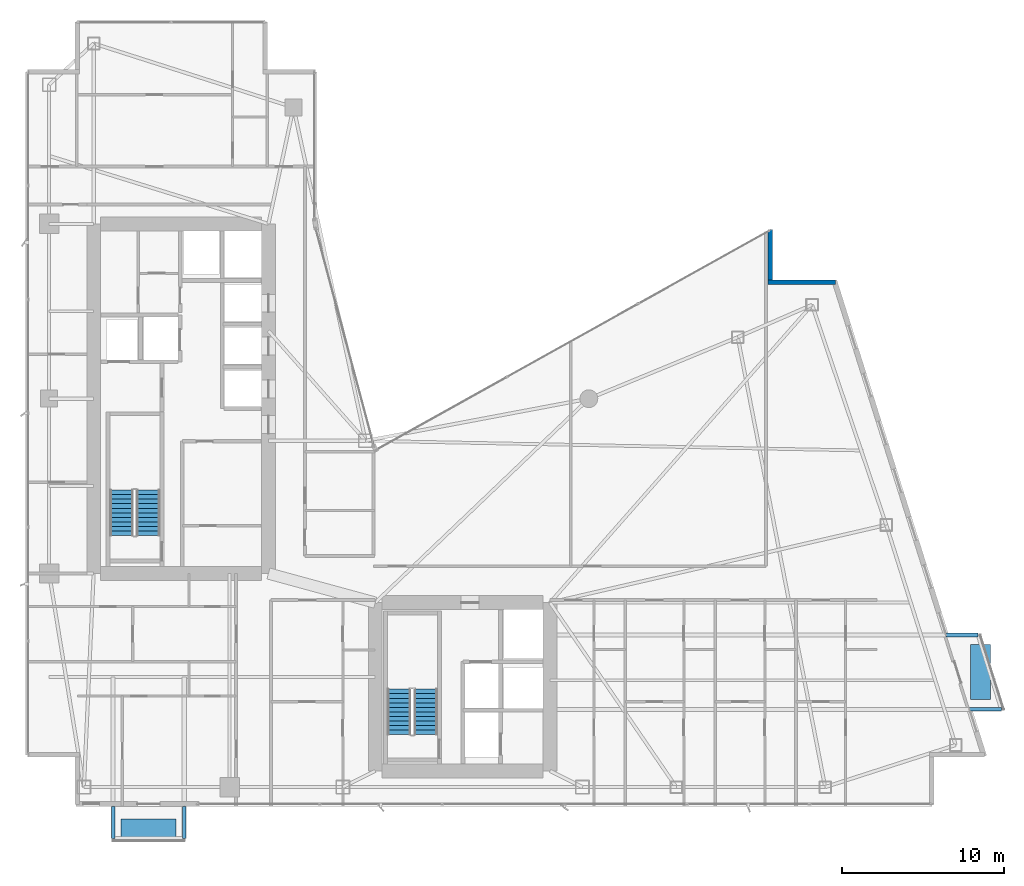
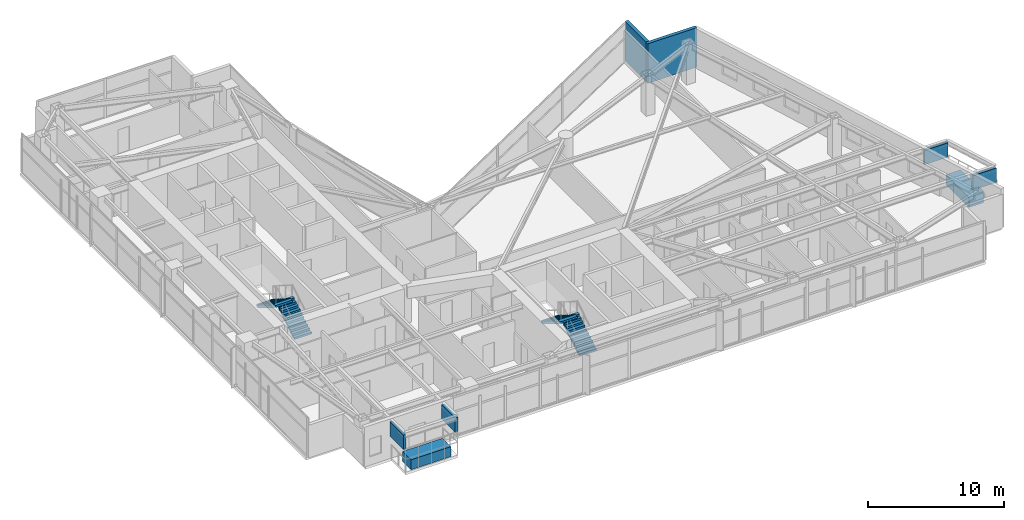
# One storey, part 26 of 29: 6 discrete accessories, 4 stair flights, 2 walls, 2 elements without a shape of their own.
"""IFC4 building model written with IfcOpenShell, lengths in metres."""

from ifc_helpers import new_model, si_unit, direction, frame, frame_2d, origin, origin_2d, place, context, subcontext, project, spatial, polyline, rectangle, outline, extrude, material, layer, layer_set, type_object, element, aggregate, save


model = new_model("IFC4")

# Units and contexts
model_context = context("Model", 3, precision=1e-05, world=origin(), true_north=direction((0.0, 1.0)))
body_context = subcontext(model_context, "Body", "Model", "MODEL_VIEW")
ifc_project = project(units=[si_unit("LENGTHUNIT", "METRE"), si_unit("AREAUNIT", "SQUARE_METRE"), si_unit("VOLUMEUNIT", "CUBIC_METRE"), si_unit("PLANEANGLEUNIT", "RADIAN"), si_unit("MASSUNIT", "GRAM", prefix="KILO")], contexts=[model_context])

# Site, building, storey
site_placement = place(None, origin())
site = spatial("IfcSite", under=ifc_project, at=site_placement, CompositionType="ELEMENT")
building_placement = place(site_placement, origin())
building = spatial("IfcBuilding", under=site, at=building_placement, Name="Calvorn Quay Hotel", CompositionType="ELEMENT")
storey_placement = place(building_placement, frame((0.0, 0.0, 167.5)))
storey = spatial("IfcBuildingStorey", under=building, at=storey_placement, Name="L41", CompositionType="ELEMENT", Elevation=167.5)

# Walls
ifc_material_1 = material(Name="Concrete C40", Category="concrete")
ifc_layer = layer(ifc_material_1, 0.320068359375)
ifc_layer_set = layer_set([ifc_layer], Name="WL-EXT-SPANDREL-320")
wall_type = type_object("IfcWallType", Name="WL-EXT-SPANDREL-320", PredefinedType="SOLIDWALL", material=ifc_layer_set)
wall_1_placement = place(storey_placement, frame((50.0400390625, 34.800048828125, 0.0), z_axis=(0.0, 0.0, 1.0), x_axis=(-1.0, 0.0, 0.0)))
element("IfcWall", 1, at=wall_1_placement, inside=storey, type_object=wall_type, Name="Notched Corner Spandrel L41-NE1", PredefinedType="SOLIDWALL", context=body_context, shape_type="SweptSolid", body=[
    extrude(rectangle(XDim=4.179931640625, YDim=0.280029296875, at=frame_2d((2.08984375, 0.0))), origin(), (0.0, 0.0, 1.0), 3.56005859375),
])
wall_2_placement = place(storey_placement, frame((46.0, 34.93994140625, 0.0), z_axis=(0.0, 0.0, 1.0), x_axis=(0.0, 1.0, 0.0)))
element("IfcWall", 2, at=wall_2_placement, inside=storey, type_object=wall_type, Name="Notched Corner Spandrel L41-NE2", PredefinedType="SOLIDWALL", context=body_context, shape_type="SweptSolid", body=[
    extrude(rectangle(XDim=3.10009765625, YDim=0.280029296875, at=frame_2d((1.550048828125, 0.0))), origin(), (0.0, 0.0, 1.0), 3.56005859375),
])

# Stair, stair flights
ifc_material_2 = material(Name="Concrete C40", Category="concrete")
stair_type = type_object("IfcStairType", Name="STR-CORE-DOGLEG", PredefinedType="HALF_TURN_STAIR", material=ifc_material_2)
stair_1_placement = place(storey_placement, origin())
stair_1 = element("IfcStair", 3, at=stair_1_placement, inside=storey, type_object=stair_type, Name="L41 ST-W", PredefinedType="HALF_TURN_STAIR")
ifc_material_3 = material(Name="Concrete C40", Category="concrete")
stair_flight_type = type_object("IfcStairFlightType", Name="FLT-CORE-1550", PredefinedType="STRAIGHT", material=ifc_material_3)
stair_flight_1_placement = place(storey_placement, frame((7.574951171875, 19.14990234375, 0.0), z_axis=(0.0, 0.0, 1.0), x_axis=(0.0, 1.0, 0.0)))
stair_flight_1 = element("IfcStairFlight", 4, at=stair_flight_1_placement, type_object=stair_flight_type, Name="ST-W flight 1", NumberOfRisers=11, NumberOfTreads=10, PredefinedType="STRAIGHT", RiserHeight=0.172727273, TreadLength=0.28, context=body_context, shape_type="SweptSolid", body=[
    extrude(outline(polyline([(0.0, 0.0), (0.0, 0.172607421875), (0.280029296875, 0.172607421875), (0.280029296875, 0.345458984375), (0.56005859375, 0.345458984375), (0.56005859375, 0.51806640625), (0.840087890625, 0.51806640625), (0.840087890625, 0.69091796875), (1.1201171875, 0.69091796875), (1.1201171875, 0.863525390625), (1.39990234375, 0.863525390625), (1.39990234375, 1.036376953125), (1.679931640625, 1.036376953125), (1.679931640625, 1.208984375), (1.9599609375, 1.208984375), (1.9599609375, 1.3818359375), (2.239990234375, 1.3818359375), (2.239990234375, 1.554443359375), (2.52001953125, 1.554443359375), (2.52001953125, 1.727294921875), (2.800048828125, 1.727294921875), (2.800048828125, 1.89990234375), (2.800048828125, 1.551025390625), (0.285400390625, 0.0), (0.0, 0.0)])), frame((0.0, 0.72509765625, 0.0), z_axis=(0.0, -1.0, 0.0), x_axis=(1.0, 0.0, 0.0)), (0.0, 0.0, 1.0), 1.449951171875),
])
stair_flight_2_placement = place(storey_placement, frame((5.925048828125, 21.949951171875, 1.89990234375), z_axis=(0.0, 0.0, 1.0), x_axis=(0.0, -1.0, 0.0)))
stair_flight_2 = element("IfcStairFlight", 5, at=stair_flight_2_placement, type_object=stair_flight_type, Name="ST-W flight 2", NumberOfRisers=11, NumberOfTreads=10, PredefinedType="STRAIGHT", RiserHeight=0.172727273, TreadLength=0.28, context=body_context, shape_type="SweptSolid", body=[
    extrude(outline(polyline([(0.0, 0.0), (0.0, 0.172607421875), (0.280029296875, 0.172607421875), (0.280029296875, 0.345458984375), (0.56005859375, 0.345458984375), (0.56005859375, 0.51806640625), (0.840087890625, 0.51806640625), (0.840087890625, 0.69091796875), (1.1201171875, 0.69091796875), (1.1201171875, 0.863525390625), (1.39990234375, 0.863525390625), (1.39990234375, 1.036376953125), (1.679931640625, 1.036376953125), (1.679931640625, 1.208984375), (1.9599609375, 1.208984375), (1.9599609375, 1.3818359375), (2.239990234375, 1.3818359375), (2.239990234375, 1.554443359375), (2.52001953125, 1.554443359375), (2.52001953125, 1.727294921875), (2.800048828125, 1.727294921875), (2.800048828125, 1.89990234375), (2.800048828125, 1.551025390625), (0.285400390625, 0.0), (0.0, 0.0)])), frame((0.0, 0.72509765625, 0.0), z_axis=(0.0, -1.0, 0.0), x_axis=(1.0, 0.0, 0.0)), (0.0, 0.0, 1.0), 1.449951171875),
])
aggregate(stair_1, [stair_flight_1, stair_flight_2])

stair_2_placement = place(storey_placement, origin())
stair_2 = element("IfcStair", 6, at=stair_2_placement, inside=storey, type_object=stair_type, Name="L41 ST-E", PredefinedType="HALF_TURN_STAIR")
stair_flight_3_placement = place(storey_placement, frame((24.72509765625, 6.85009765625, 0.0), z_axis=(0.0, 0.0, 1.0), x_axis=(0.0, 1.0, 0.0)))
stair_flight_3 = element("IfcStairFlight", 7, at=stair_flight_3_placement, type_object=stair_flight_type, Name="ST-E flight 1", NumberOfRisers=11, NumberOfTreads=10, PredefinedType="STRAIGHT", RiserHeight=0.172727273, TreadLength=0.28, context=body_context, shape_type="SweptSolid", body=[
    extrude(outline(polyline([(0.0, 0.0), (0.0, 0.172607421875), (0.280029296875, 0.172607421875), (0.280029296875, 0.345458984375), (0.56005859375, 0.345458984375), (0.56005859375, 0.51806640625), (0.840087890625, 0.51806640625), (0.840087890625, 0.69091796875), (1.1201171875, 0.69091796875), (1.1201171875, 0.863525390625), (1.39990234375, 0.863525390625), (1.39990234375, 1.036376953125), (1.679931640625, 1.036376953125), (1.679931640625, 1.208984375), (1.9599609375, 1.208984375), (1.9599609375, 1.3818359375), (2.239990234375, 1.3818359375), (2.239990234375, 1.554443359375), (2.52001953125, 1.554443359375), (2.52001953125, 1.727294921875), (2.800048828125, 1.727294921875), (2.800048828125, 1.89990234375), (2.800048828125, 1.551025390625), (0.285400390625, 0.0), (0.0, 0.0)])), frame((0.0, 0.72509765625, 0.0), z_axis=(0.0, -1.0, 0.0), x_axis=(1.0, 0.0, 0.0)), (0.0, 0.0, 1.0), 1.449951171875),
])
stair_flight_4_placement = place(storey_placement, frame((23.074951171875, 9.64990234375, 1.89990234375), z_axis=(0.0, 0.0, 1.0), x_axis=(0.0, -1.0, 0.0)))
stair_flight_4 = element("IfcStairFlight", 8, at=stair_flight_4_placement, type_object=stair_flight_type, Name="ST-E flight 2", NumberOfRisers=11, NumberOfTreads=10, PredefinedType="STRAIGHT", RiserHeight=0.172727273, TreadLength=0.28, context=body_context, shape_type="SweptSolid", body=[
    extrude(outline(polyline([(0.0, 0.0), (0.0, 0.172607421875), (0.280029296875, 0.172607421875), (0.280029296875, 0.345458984375), (0.56005859375, 0.345458984375), (0.56005859375, 0.51806640625), (0.840087890625, 0.51806640625), (0.840087890625, 0.69091796875), (1.1201171875, 0.69091796875), (1.1201171875, 0.863525390625), (1.39990234375, 0.863525390625), (1.39990234375, 1.036376953125), (1.679931640625, 1.036376953125), (1.679931640625, 1.208984375), (1.9599609375, 1.208984375), (1.9599609375, 1.3818359375), (2.239990234375, 1.3818359375), (2.239990234375, 1.554443359375), (2.52001953125, 1.554443359375), (2.52001953125, 1.727294921875), (2.800048828125, 1.727294921875), (2.800048828125, 1.89990234375), (2.800048828125, 1.551025390625), (0.285400390625, 0.0), (0.0, 0.0)])), frame((0.0, 0.72509765625, 0.0), z_axis=(0.0, -1.0, 0.0), x_axis=(1.0, 0.0, 0.0)), (0.0, 0.0, 1.0), 1.449951171875),
])
aggregate(stair_2, [stair_flight_3, stair_flight_4])

# Discrete accessories
ifc_material_4 = material(Name="Steel Q355B", Category="steel")
discrete_accessory_type_1 = type_object("IfcDiscreteAccessoryType", Name="ACC-BALC-STRUT", PredefinedType="BRACKET", material=ifc_material_4)
for number, where, z_axis, x_axis, name in (
    (9, (59.31298828125, 8.39990234375, 2.01513671875), (0.0, 0.0, 1.0), (1.0, 0.0, 0.0), "Exterior Balcony Steel Bracket L42-BALC-E-A"),
    (10, (57.863037109375, 13.0, 2.01513671875), (0.0, 0.0, 1.0), (1.0, 0.0, 0.0), "Exterior Balcony Steel Bracket L42-BALC-E-B"),
):
    element("IfcDiscreteAccessory", number, at=place(storey_placement, frame(where, z_axis=z_axis, x_axis=x_axis)), inside=storey, type_object=discrete_accessory_type_1, Name=name, PredefinedType="BRACKET", context=body_context, shape_type="SweptSolid", body=[
        extrude(rectangle(XDim=1.989990234375, YDim=0.219970703125, at=origin_2d()), origin(), (0.0, 0.0, 1.0), 1.300048828125),
    ])
for number, where, z_axis, x_axis, name in (
    (11, (5.39990234375, 1.405029296875, 2.01513671875), (0.0, 0.0, 1.0), (1.0, 0.0, 0.0), "Exterior Balcony Steel Bracket L42-BALC-S-A"),
    (12, (9.800048828125, 1.405029296875, 2.01513671875), (0.0, 0.0, 1.0), (1.0, 0.0, 0.0), "Exterior Balcony Steel Bracket L42-BALC-S-B"),
):
    element("IfcDiscreteAccessory", number, at=place(storey_placement, frame(where, z_axis=z_axis, x_axis=x_axis)), inside=storey, type_object=discrete_accessory_type_1, Name=name, PredefinedType="BRACKET", context=body_context, shape_type="SweptSolid", body=[
        extrude(rectangle(XDim=0.219970703125, YDim=1.989990234375, at=origin_2d()), origin(), (0.0, 0.0, 1.0), 1.300048828125),
    ])
ifc_material_5 = material(Name="Precast concrete C40", Category="concrete")
discrete_accessory_type_2 = type_object("IfcDiscreteAccessoryType", Name="ACC-TREE-PLANTER", PredefinedType="USERDEFINED", material=ifc_material_5)
discrete_accessory_1_placement = place(storey_placement, frame((59.0029296875, 10.699951171875, 0.0), z_axis=(0.0, 0.0, 1.0), x_axis=(1.0, 0.0, 0.0)))
element("IfcDiscreteAccessory", 13, at=discrete_accessory_1_placement, inside=storey, type_object=discrete_accessory_type_2, Name="Subtropical Tree Structural Planter L41-BALC-E", ObjectType="PLANTER", PredefinedType="USERDEFINED", context=body_context, shape_type="SweptSolid", body=[
    extrude(rectangle(XDim=1.25, YDim=3.39990234375, at=origin_2d()), origin(), (0.0, 0.0, 1.0), 0.89990234375),
])
discrete_accessory_2_placement = place(storey_placement, frame((7.60009765625, 0.989990234375, 0.0), z_axis=(0.0, 0.0, 1.0), x_axis=(1.0, 0.0, 0.0)))
element("IfcDiscreteAccessory", 14, at=discrete_accessory_2_placement, inside=storey, type_object=discrete_accessory_type_2, Name="Subtropical Tree Structural Planter L41-BALC-S", ObjectType="PLANTER", PredefinedType="USERDEFINED", context=body_context, shape_type="SweptSolid", body=[
    extrude(rectangle(XDim=3.39990234375, YDim=1.25, at=origin_2d()), origin(), (0.0, 0.0, 1.0), 0.89990234375),
])

save(model, "model.ifc")
